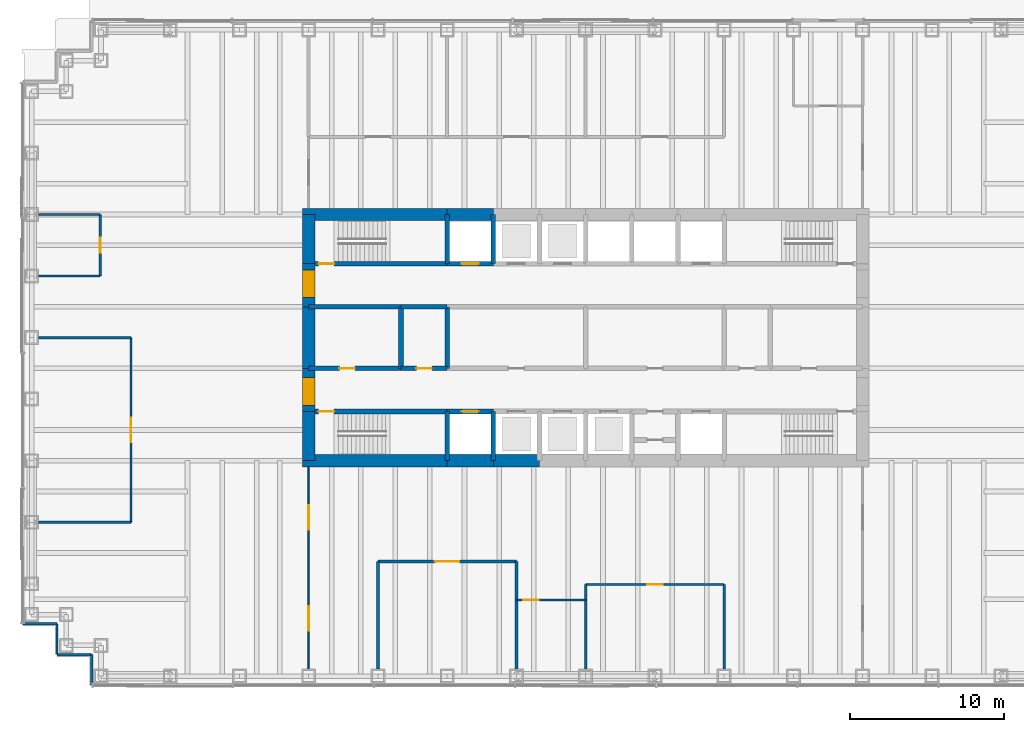
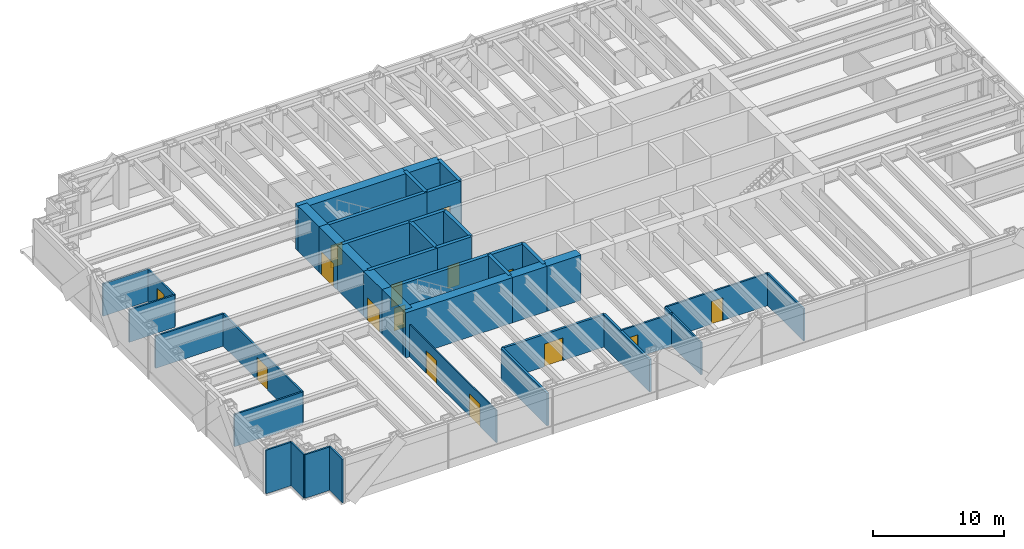
# One storey, part 9 of 14: 42 walls, 15 doors, 15 openings.
"""IFC4 building model written with IfcOpenShell, lengths in metres."""

from ifc_helpers import new_model, si_unit, direction, frame, frame_2d, origin, place, context, subcontext, project, spatial, rectangle, extrude, material, layer, layer_set, type_object, element, fill, save


model = new_model("IFC4")

# Units and contexts
model_context = context("Model", 3, precision=1e-05, world=origin(), true_north=direction((0.0, 1.0)))
body_context = subcontext(model_context, "Body", "Model", "MODEL_VIEW")
ifc_project = project(units=[si_unit("LENGTHUNIT", "METRE"), si_unit("AREAUNIT", "SQUARE_METRE"), si_unit("VOLUMEUNIT", "CUBIC_METRE"), si_unit("PLANEANGLEUNIT", "RADIAN"), si_unit("MASSUNIT", "GRAM", prefix="KILO")], contexts=[model_context])

# Site, building, storey
site_placement = place(None, origin())
site = spatial("IfcSite", under=ifc_project, at=site_placement, CompositionType="ELEMENT")
building_placement = place(site_placement, origin())
building = spatial("IfcBuilding", under=site, at=building_placement, Name="Rheinbord Bourse Tower", CompositionType="ELEMENT")
storey_placement = place(building_placement, frame((0.0, 0.0, 185.800048828125)))
storey = spatial("IfcBuildingStorey", under=building, at=storey_placement, Name="L41", CompositionType="ELEMENT", Elevation=185.800048828125)

# Wall, opening, door
ifc_material_1 = material(Name="Acoustic gypsum board partition", Category="gypsum board")
ifc_layer_1 = layer(ifc_material_1, 0.199951171875)
ifc_layer_set_1 = layer_set([ifc_layer_1], Name="ACOUSTIC PARTITION 200")
wall_type_1 = type_object("IfcWallType", Name="ACOUSTIC PARTITION 200", PredefinedType="PARTITIONING", material=ifc_layer_set_1)
wall_1_placement = place(storey_placement, frame((22.5, 9.449951171875, 0.0), z_axis=(0.0, 0.0, 1.0), x_axis=(1.0, 0.0, 0.0)))
wall_1 = element("IfcWall", 1, at=wall_1_placement, inside=storey, type_object=wall_type_1, Name="Partition L41-03", PredefinedType="PARTITIONING", context=body_context, shape_type="SweptSolid", body=[
    extrude(rectangle(XDim=9.0, YDim=0.199951171875, at=frame_2d((4.5, 0.0))), origin(), (0.0, 0.0, 1.0), 3.0),
])
opening_1_placement = place(wall_1_placement, frame((3.699951171875, 0.0, 0.0)))
opening_1 = element("IfcOpeningElement", 2, at=opening_1_placement, cuts=wall_1, Name="Opening 41D03", PredefinedType="OPENING", context=body_context, shape_type="SweptSolid", body=[
    extrude(rectangle(XDim=1.60009765625, YDim=2.10009765625, at=frame_2d((0.800048828125, 1.050048828125))), frame((0.0, 0.10986328125, 0.0), z_axis=(0.0, -1.0, 0.0), x_axis=(1.0, 0.0, 0.0)), (0.0, 0.0, 1.0), 0.219970703125),
])
ifc_material_2 = material(Name="Timber door", Category="wood")
door_type_1 = type_object("IfcDoorType", Name="DOUBLE ROOM DOOR 1600", OperationType="DOUBLE_DOOR_DOUBLE_SWING", PredefinedType="DOOR", material=ifc_material_2)
door_1_placement = place(opening_1_placement, origin())
door_1 = element("IfcDoor", 3, at=door_1_placement, inside=storey, type_object=door_type_1, Name="Conference room door L41", OperationType="SINGLE_SWING_LEFT", OverallHeight=2.10009765625, OverallWidth=1.60009765625, PredefinedType="DOOR", context=body_context, shape_type="SweptSolid", body=[
    extrude(rectangle(XDim=1.60009765625, YDim=2.10009765625, at=frame_2d((0.800048828125, 1.050048828125))), frame((0.0, 0.02490234375, 0.0), z_axis=(0.0, -1.0, 0.0), x_axis=(1.0, 0.0, 0.0)), (0.0, 0.0, 1.0), 0.050048828125),
])
fill(opening_1, door_1)

# Walls
for number, where, z_axis, x_axis, name in (
    (4, (22.5, 2.449951171875, 0.0), (0.0, 0.0, 1.0), (0.0, 1.0, 0.0), "Partition L41-19"),
    (5, (31.5, 2.449951171875, 0.0), (0.0, 0.0, 1.0), (0.0, 1.0, 0.0), "Partition L41-21"),
):
    element("IfcWall", number, at=place(storey_placement, frame(where, z_axis=z_axis, x_axis=x_axis)), inside=storey, type_object=wall_type_1, Name=name, PredefinedType="PARTITIONING", context=body_context, shape_type="SweptSolid", body=[
        extrude(rectangle(XDim=7.0, YDim=0.199951171875, at=frame_2d((3.5, 0.0))), origin(), (0.0, 0.0, 1.0), 3.0),
    ])

# Wall, opening, door
ifc_material_3 = material(Name="Concrete C50/60", Category="concrete")
ifc_layer_2 = layer(ifc_material_3, 0.300048828125)
ifc_layer_set_2 = layer_set([ifc_layer_2], Name="CORE INNER WALL 300")
wall_type_2 = type_object("IfcWallType", Name="CORE INNER WALL 300", PredefinedType="SOLIDWALL", material=ifc_layer_set_2)
wall_2_placement = place(storey_placement, frame((18.0, 19.199951171875, 0.0), z_axis=(0.0, 0.0, 1.0), x_axis=(1.0, 0.0, 0.0)))
wall_2 = element("IfcWall", 6, at=wall_2_placement, inside=storey, type_object=wall_type_2, Name="Core wall A1 L41", PredefinedType="SOLIDWALL", context=body_context, shape_type="SweptSolid", body=[
    extrude(rectangle(XDim=9.0, YDim=0.300048828125, at=frame_2d((4.5, 0.0))), origin(), (0.0, 0.0, 1.0), 4.199951171875),
])
opening_2_placement = place(wall_2_placement, frame((0.64990234375, 0.0, 0.0)))
opening_2 = element("IfcOpeningElement", 7, at=opening_2_placement, cuts=wall_2, Name="Opening 4110", PredefinedType="OPENING", context=body_context, shape_type="SweptSolid", body=[
    extrude(rectangle(XDim=1.0, YDim=2.10009765625, at=frame_2d((0.5, 1.050048828125))), frame((0.0, 0.159912109375, 0.0), z_axis=(0.0, -1.0, 0.0), x_axis=(1.0, 0.0, 0.0)), (0.0, 0.0, 1.0), 0.320068359375),
])
ifc_material_4 = material(Name="Steel door", Category="steel")
door_type_2 = type_object("IfcDoorType", Name="DOOR 1000 EI30", OperationType="SINGLE_SWING_LEFT", PredefinedType="DOOR", material=ifc_material_4)
door_2_placement = place(opening_2_placement, origin())
door_2 = element("IfcDoor", 8, at=door_2_placement, inside=storey, type_object=door_type_2, Name="Stair door ST1 L41", OperationType="SINGLE_SWING_LEFT", OverallHeight=2.10009765625, OverallWidth=1.0, PredefinedType="DOOR", context=body_context, shape_type="SweptSolid", body=[
    extrude(rectangle(XDim=1.0, YDim=2.10009765625, at=frame_2d((0.5, 1.050048828125))), frame((0.0, 0.02490234375, 0.0), z_axis=(0.0, -1.0, 0.0), x_axis=(1.0, 0.0, 0.0)), (0.0, 0.0, 1.0), 0.050048828125),
])
fill(opening_2, door_2)

wall_3_placement = place(storey_placement, frame((27.0, 19.199951171875, 0.0), z_axis=(0.0, 0.0, 1.0), x_axis=(1.0, 0.0, 0.0)))
wall_3 = element("IfcWall", 9, at=wall_3_placement, inside=storey, type_object=wall_type_2, Name="Core wall A2 L41", PredefinedType="SOLIDWALL", context=body_context, shape_type="SweptSolid", body=[
    extrude(rectangle(XDim=3.0, YDim=0.300048828125, at=frame_2d((1.5, 0.0))), origin(), (0.0, 0.0, 1.0), 4.199951171875),
])
opening_3_placement = place(wall_3_placement, frame((0.949951171875, 0.0, 0.0)))
opening_3 = element("IfcOpeningElement", 10, at=opening_3_placement, cuts=wall_3, Name="Opening FL1", PredefinedType="OPENING", context=body_context, shape_type="SweptSolid", body=[
    extrude(rectangle(XDim=1.10009765625, YDim=2.199951171875, at=frame_2d((0.550048828125, 1.10009765625))), frame((0.0, 0.159912109375, 0.0), z_axis=(0.0, -1.0, 0.0), x_axis=(1.0, 0.0, 0.0)), (0.0, 0.0, 1.0), 0.320068359375),
])
ifc_material_5 = material(Name="Steel landing door", Category="steel")
door_type_3 = type_object("IfcDoorType", Name="LIFT LANDING DOOR 1100", OperationType="DOUBLE_DOOR_SLIDING", PredefinedType="USERDEFINED", material=ifc_material_5)
door_3_placement = place(opening_3_placement, origin())
door_3 = element("IfcDoor", 11, at=door_3_placement, inside=storey, type_object=door_type_3, Name="Lift landing door FL1 L41", ObjectType="LIFT LANDING DOOR", OperationType="DOUBLE_DOOR_SLIDING", OverallHeight=2.199951171875, OverallWidth=1.10009765625, PredefinedType="USERDEFINED", context=body_context, shape_type="SweptSolid", body=[
    extrude(rectangle(XDim=1.10009765625, YDim=2.199951171875, at=frame_2d((0.550048828125, 1.10009765625))), frame((0.0, 0.02490234375, 0.0), z_axis=(0.0, -1.0, 0.0), x_axis=(1.0, 0.0, 0.0)), (0.0, 0.0, 1.0), 0.050048828125),
])
fill(opening_3, door_3)

wall_4_placement = place(storey_placement, frame((18.0, 28.800048828125, 0.0), z_axis=(0.0, 0.0, 1.0), x_axis=(1.0, 0.0, 0.0)))
wall_4 = element("IfcWall", 12, at=wall_4_placement, inside=storey, type_object=wall_type_2, Name="Core wall B1 L41", PredefinedType="SOLIDWALL", context=body_context, shape_type="SweptSolid", body=[
    extrude(rectangle(XDim=9.0, YDim=0.300048828125, at=frame_2d((4.5, 0.0))), origin(), (0.0, 0.0, 1.0), 4.199951171875),
])
opening_4_placement = place(wall_4_placement, frame((0.64990234375, 0.0, 0.0)))
opening_4 = element("IfcOpeningElement", 13, at=opening_4_placement, cuts=wall_4, Name="Opening 4120", PredefinedType="OPENING", context=body_context, shape_type="SweptSolid", body=[
    extrude(rectangle(XDim=1.0, YDim=2.10009765625, at=frame_2d((0.5, 1.050048828125))), frame((0.0, 0.159912109375, 0.0), z_axis=(0.0, -1.0, 0.0), x_axis=(1.0, 0.0, 0.0)), (0.0, 0.0, 1.0), 0.320068359375),
])
door_4_placement = place(opening_4_placement, origin())
door_4 = element("IfcDoor", 14, at=door_4_placement, inside=storey, type_object=door_type_2, Name="Stair door ST2 L41", OperationType="SINGLE_SWING_LEFT", OverallHeight=2.10009765625, OverallWidth=1.0, PredefinedType="DOOR", context=body_context, shape_type="SweptSolid", body=[
    extrude(rectangle(XDim=1.0, YDim=2.10009765625, at=frame_2d((0.5, 1.050048828125))), frame((0.0, 0.02490234375, 0.0), z_axis=(0.0, -1.0, 0.0), x_axis=(1.0, 0.0, 0.0)), (0.0, 0.0, 1.0), 0.050048828125),
])
fill(opening_4, door_4)

wall_5_placement = place(storey_placement, frame((27.0, 28.800048828125, 0.0), z_axis=(0.0, 0.0, 1.0), x_axis=(1.0, 0.0, 0.0)))
wall_5 = element("IfcWall", 15, at=wall_5_placement, inside=storey, type_object=wall_type_2, Name="Core wall B2 L41", PredefinedType="SOLIDWALL", context=body_context, shape_type="SweptSolid", body=[
    extrude(rectangle(XDim=3.0, YDim=0.300048828125, at=frame_2d((1.5, 0.0))), origin(), (0.0, 0.0, 1.0), 4.199951171875),
])
opening_5_placement = place(wall_5_placement, frame((0.949951171875, 0.0, 0.0)))
opening_5 = element("IfcOpeningElement", 16, at=opening_5_placement, cuts=wall_5, Name="Opening GL1", PredefinedType="OPENING", context=body_context, shape_type="SweptSolid", body=[
    extrude(rectangle(XDim=1.10009765625, YDim=2.199951171875, at=frame_2d((0.550048828125, 1.10009765625))), frame((0.0, 0.159912109375, 0.0), z_axis=(0.0, -1.0, 0.0), x_axis=(1.0, 0.0, 0.0)), (0.0, 0.0, 1.0), 0.320068359375),
])
door_5_placement = place(opening_5_placement, origin())
door_5 = element("IfcDoor", 17, at=door_5_placement, inside=storey, type_object=door_type_3, Name="Lift landing door GL1 L41", ObjectType="LIFT LANDING DOOR", OperationType="DOUBLE_DOOR_SLIDING", OverallHeight=2.199951171875, OverallWidth=1.10009765625, PredefinedType="USERDEFINED", context=body_context, shape_type="SweptSolid", body=[
    extrude(rectangle(XDim=1.10009765625, YDim=2.199951171875, at=frame_2d((0.550048828125, 1.10009765625))), frame((0.0, 0.02490234375, 0.0), z_axis=(0.0, -1.0, 0.0), x_axis=(1.0, 0.0, 0.0)), (0.0, 0.0, 1.0), 0.050048828125),
])
fill(opening_5, door_5)

wall_6_placement = place(storey_placement, frame((18.0, 22.0, 0.0), z_axis=(0.0, 0.0, 1.0), x_axis=(1.0, 0.0, 0.0)))
wall_6 = element("IfcWall", 18, at=wall_6_placement, inside=storey, type_object=wall_type_2, Name="Core wall C1 L41", PredefinedType="SOLIDWALL", context=body_context, shape_type="SweptSolid", body=[
    extrude(rectangle(XDim=6.0, YDim=0.300048828125, at=frame_2d((3.0, 0.0))), origin(), (0.0, 0.0, 1.0), 4.199951171875),
])
opening_6_placement = place(wall_6_placement, frame((2.0, 0.0, 0.0)))
opening_6 = element("IfcOpeningElement", 19, at=opening_6_placement, cuts=wall_6, Name="Opening 41R1", PredefinedType="OPENING", context=body_context, shape_type="SweptSolid", body=[
    extrude(rectangle(XDim=1.0, YDim=2.10009765625, at=frame_2d((0.5, 1.050048828125))), frame((0.0, 0.159912109375, 0.0), z_axis=(0.0, -1.0, 0.0), x_axis=(1.0, 0.0, 0.0)), (0.0, 0.0, 1.0), 0.320068359375),
])
ifc_material_6 = material(Name="Timber door", Category="wood")
door_type_4 = type_object("IfcDoorType", Name="DOOR 1000 WC", OperationType="SINGLE_SWING_LEFT", PredefinedType="DOOR", material=ifc_material_6)
door_6_placement = place(opening_6_placement, origin())
door_6 = element("IfcDoor", 20, at=door_6_placement, inside=storey, type_object=door_type_4, Name="WC men door L41", OperationType="SINGLE_SWING_LEFT", OverallHeight=2.10009765625, OverallWidth=1.0, PredefinedType="DOOR", context=body_context, shape_type="SweptSolid", body=[
    extrude(rectangle(XDim=1.0, YDim=2.10009765625, at=frame_2d((0.5, 1.050048828125))), frame((0.0, 0.02490234375, 0.0), z_axis=(0.0, -1.0, 0.0), x_axis=(1.0, 0.0, 0.0)), (0.0, 0.0, 1.0), 0.050048828125),
])
fill(opening_6, door_6)

wall_7_placement = place(storey_placement, frame((24.0, 22.0, 0.0), z_axis=(0.0, 0.0, 1.0), x_axis=(1.0, 0.0, 0.0)))
wall_7 = element("IfcWall", 21, at=wall_7_placement, inside=storey, type_object=wall_type_2, Name="Core wall C2 L41", PredefinedType="SOLIDWALL", context=body_context, shape_type="SweptSolid", body=[
    extrude(rectangle(XDim=3.0, YDim=0.300048828125, at=frame_2d((1.5, 0.0))), origin(), (0.0, 0.0, 1.0), 4.199951171875),
])
opening_7_placement = place(wall_7_placement, frame((1.0, 0.0, 0.0)))
opening_7 = element("IfcOpeningElement", 22, at=opening_7_placement, cuts=wall_7, Name="Opening 41R2", PredefinedType="OPENING", context=body_context, shape_type="SweptSolid", body=[
    extrude(rectangle(XDim=1.0, YDim=2.10009765625, at=frame_2d((0.5, 1.050048828125))), frame((0.0, 0.159912109375, 0.0), z_axis=(0.0, -1.0, 0.0), x_axis=(1.0, 0.0, 0.0)), (0.0, 0.0, 1.0), 0.320068359375),
])
door_7_placement = place(opening_7_placement, origin())
door_7 = element("IfcDoor", 23, at=door_7_placement, inside=storey, type_object=door_type_4, Name="Accessible WC door L41", OperationType="SINGLE_SWING_LEFT", OverallHeight=2.10009765625, OverallWidth=1.0, PredefinedType="DOOR", context=body_context, shape_type="SweptSolid", body=[
    extrude(rectangle(XDim=1.0, YDim=2.10009765625, at=frame_2d((0.5, 1.050048828125))), frame((0.0, 0.02490234375, 0.0), z_axis=(0.0, -1.0, 0.0), x_axis=(1.0, 0.0, 0.0)), (0.0, 0.0, 1.0), 0.050048828125),
])
fill(opening_7, door_7)

# Walls
wall_8_placement = place(storey_placement, frame((18.0, 26.0, 0.0), z_axis=(0.0, 0.0, 1.0), x_axis=(1.0, 0.0, 0.0)))
element("IfcWall", 24, at=wall_8_placement, inside=storey, type_object=wall_type_2, Name="Core wall D1 L41", PredefinedType="SOLIDWALL", context=body_context, shape_type="SweptSolid", body=[
    extrude(rectangle(XDim=6.0, YDim=0.300048828125, at=frame_2d((3.0, 0.0))), origin(), (0.0, 0.0, 1.0), 4.199951171875),
])
wall_9_placement = place(storey_placement, frame((24.0, 26.0, 0.0), z_axis=(0.0, 0.0, 1.0), x_axis=(1.0, 0.0, 0.0)))
element("IfcWall", 25, at=wall_9_placement, inside=storey, type_object=wall_type_2, Name="Core wall D2 L41", PredefinedType="SOLIDWALL", context=body_context, shape_type="SweptSolid", body=[
    extrude(rectangle(XDim=3.0, YDim=0.300048828125, at=frame_2d((1.5, 0.0))), origin(), (0.0, 0.0, 1.0), 4.199951171875),
])
for number, where, z_axis, x_axis, name in (
    (26, (27.0, 16.0, 0.0), (0.0, 0.0, 1.0), (0.0, 1.0, 0.0), "Core wall SX27 L41"),
    (27, (27.0, 28.800048828125, 0.0), (0.0, 0.0, 1.0), (0.0, 1.0, 0.0), "Core wall NX27 L41"),
    (28, (30.0, 16.0, 0.0), (0.0, 0.0, 1.0), (0.0, 1.0, 0.0), "Core wall SX30 L41"),
    (29, (30.0, 28.800048828125, 0.0), (0.0, 0.0, 1.0), (0.0, 1.0, 0.0), "Core wall NX30 L41"),
):
    element("IfcWall", number, at=place(storey_placement, frame(where, z_axis=z_axis, x_axis=x_axis)), inside=storey, type_object=wall_type_2, Name=name, PredefinedType="SOLIDWALL", context=body_context, shape_type="SweptSolid", body=[
        extrude(rectangle(XDim=3.199951171875, YDim=0.300048828125, at=frame_2d((1.60009765625, 0.0))), origin(), (0.0, 0.0, 1.0), 4.199951171875),
    ])
for number, where, z_axis, x_axis, name in (
    (30, (24.0, 22.0, 0.0), (0.0, 0.0, 1.0), (0.0, 1.0, 0.0), "Core wall MX24 L41"),
    (31, (27.0, 22.0, 0.0), (0.0, 0.0, 1.0), (0.0, 1.0, 0.0), "Core wall MX27 L41"),
):
    element("IfcWall", number, at=place(storey_placement, frame(where, z_axis=z_axis, x_axis=x_axis)), inside=storey, type_object=wall_type_2, Name=name, PredefinedType="SOLIDWALL", context=body_context, shape_type="SweptSolid", body=[
        extrude(rectangle(XDim=4.0, YDim=0.300048828125, at=frame_2d((2.0, 0.0))), origin(), (0.0, 0.0, 1.0), 4.199951171875),
    ])
ifc_material_7 = material(Name="Concrete C50/60", Category="concrete")
ifc_layer_3 = layer(ifc_material_7, 0.800048828125)
ifc_layer_set_3 = layer_set([ifc_layer_3], Name="CORE WALL 800")
wall_type_3 = type_object("IfcWallType", Name="CORE WALL 800", PredefinedType="SHEAR", material=ifc_layer_set_3)
wall_10_placement = place(storey_placement, frame((17.60009765625, 16.0, 0.0), z_axis=(0.0, 0.0, 1.0), x_axis=(1.0, 0.0, 0.0)))
element("IfcWall", 32, at=wall_10_placement, inside=storey, type_object=wall_type_3, Name="Core wall S1 L41", PredefinedType="SHEAR", context=body_context, shape_type="SweptSolid", body=[
    extrude(rectangle(XDim=9.39990234375, YDim=0.800048828125, at=frame_2d((4.699951171875, 0.0))), origin(), (0.0, 0.0, 1.0), 4.199951171875),
])
for number, where, z_axis, x_axis, name in (
    (33, (27.0, 16.0, 0.0), (0.0, 0.0, 1.0), (1.0, 0.0, 0.0), "Core wall S2 L41"),
    (34, (30.0, 16.0, 0.0), (0.0, 0.0, 1.0), (1.0, 0.0, 0.0), "Core wall S3 L41"),
    (35, (30.0, 32.0, 0.0), (0.0, 0.0, 1.0), (-1.0, 0.0, 0.0), "Core wall N7 L41"),
):
    element("IfcWall", number, at=place(storey_placement, frame(where, z_axis=z_axis, x_axis=x_axis)), inside=storey, type_object=wall_type_3, Name=name, PredefinedType="SHEAR", context=body_context, shape_type="SweptSolid", body=[
        extrude(rectangle(XDim=3.0, YDim=0.800048828125, at=frame_2d((1.5, 0.0))), origin(), (0.0, 0.0, 1.0), 4.199951171875),
    ])
wall_11_placement = place(storey_placement, frame((27.0, 32.0, 0.0), z_axis=(0.0, 0.0, 1.0), x_axis=(-1.0, 0.0, 0.0)))
element("IfcWall", 36, at=wall_11_placement, inside=storey, type_object=wall_type_3, Name="Core wall N8 L41", PredefinedType="SHEAR", context=body_context, shape_type="SweptSolid", body=[
    extrude(rectangle(XDim=9.39990234375, YDim=0.800048828125, at=frame_2d((4.699951171875, 0.0))), origin(), (0.0, 0.0, 1.0), 4.199951171875),
])
wall_12_placement = place(storey_placement, frame((18.0, 32.0, 0.0), z_axis=(0.0, 0.0, 1.0), x_axis=(0.0, -1.0, 0.0)))
element("IfcWall", 37, at=wall_12_placement, inside=storey, type_object=wall_type_3, Name="Core wall W1 L41", PredefinedType="SHEAR", context=body_context, shape_type="SweptSolid", body=[
    extrude(rectangle(XDim=3.199951171875, YDim=0.800048828125, at=frame_2d((1.60009765625, 0.0))), origin(), (0.0, 0.0, 1.0), 4.199951171875),
])

# Wall, opening, door
wall_13_placement = place(storey_placement, frame((18.0, 28.800048828125, 0.0), z_axis=(0.0, 0.0, 1.0), x_axis=(0.0, -1.0, 0.0)))
wall_13 = element("IfcWall", 38, at=wall_13_placement, inside=storey, type_object=wall_type_3, Name="Core wall W2 L41", PredefinedType="SHEAR", context=body_context, shape_type="SweptSolid", body=[
    extrude(rectangle(XDim=2.800048828125, YDim=0.800048828125, at=frame_2d((1.39990234375, 0.0))), origin(), (0.0, 0.0, 1.0), 4.199951171875),
])
opening_8_placement = place(wall_13_placement, frame((0.39990234375, 0.0, 0.0)))
opening_8 = element("IfcOpeningElement", 39, at=opening_8_placement, cuts=wall_13, Name="Opening 41L2", PredefinedType="OPENING", context=body_context, shape_type="SweptSolid", body=[
    extrude(rectangle(XDim=1.800048828125, YDim=2.10009765625, at=frame_2d((0.89990234375, 1.050048828125))), frame((0.0, 0.409912109375, 0.0), z_axis=(0.0, -1.0, 0.0), x_axis=(1.0, 0.0, 0.0)), (0.0, 0.0, 1.0), 0.820068359375),
])
ifc_material_8 = material(Name="Steel door", Category="steel")
door_type_5 = type_object("IfcDoorType", Name="DOOR 1800 EI30 DOUBLE", OperationType="DOUBLE_DOOR_DOUBLE_SWING", PredefinedType="DOOR", material=ifc_material_8)
door_8_placement = place(opening_8_placement, origin())
door_8 = element("IfcDoor", 40, at=door_8_placement, inside=storey, type_object=door_type_5, Name="Lobby door 2 L41", OperationType="SINGLE_SWING_LEFT", OverallHeight=2.10009765625, OverallWidth=1.800048828125, PredefinedType="DOOR", context=body_context, shape_type="SweptSolid", body=[
    extrude(rectangle(XDim=1.800048828125, YDim=2.10009765625, at=frame_2d((0.89990234375, 1.050048828125))), frame((0.0, 0.39990234375, 0.0), z_axis=(0.0, -1.0, 0.0), x_axis=(1.0, 0.0, 0.0)), (0.0, 0.0, 1.0), 0.799560546875),
])
fill(opening_8, door_8)

# Wall
wall_14_placement = place(storey_placement, frame((18.0, 26.0, 0.0), z_axis=(0.0, 0.0, 1.0), x_axis=(0.0, -1.0, 0.0)))
element("IfcWall", 41, at=wall_14_placement, inside=storey, type_object=wall_type_3, Name="Core wall W3 L41", PredefinedType="SHEAR", context=body_context, shape_type="SweptSolid", body=[
    extrude(rectangle(XDim=4.0, YDim=0.800048828125, at=frame_2d((2.0, 0.0))), origin(), (0.0, 0.0, 1.0), 4.199951171875),
])

# Wall, opening, door
wall_15_placement = place(storey_placement, frame((18.0, 22.0, 0.0), z_axis=(0.0, 0.0, 1.0), x_axis=(0.0, -1.0, 0.0)))
wall_15 = element("IfcWall", 42, at=wall_15_placement, inside=storey, type_object=wall_type_3, Name="Core wall W4 L41", PredefinedType="SHEAR", context=body_context, shape_type="SweptSolid", body=[
    extrude(rectangle(XDim=2.800048828125, YDim=0.800048828125, at=frame_2d((1.39990234375, 0.0))), origin(), (0.0, 0.0, 1.0), 4.199951171875),
])
opening_9_placement = place(wall_15_placement, frame((0.60009765625, 0.0, 0.0)))
opening_9 = element("IfcOpeningElement", 43, at=opening_9_placement, cuts=wall_15, Name="Opening 41L1", PredefinedType="OPENING", context=body_context, shape_type="SweptSolid", body=[
    extrude(rectangle(XDim=1.800048828125, YDim=2.10009765625, at=frame_2d((0.89990234375, 1.050048828125))), frame((0.0, 0.409912109375, 0.0), z_axis=(0.0, -1.0, 0.0), x_axis=(1.0, 0.0, 0.0)), (0.0, 0.0, 1.0), 0.820068359375),
])
door_9_placement = place(opening_9_placement, origin())
door_9 = element("IfcDoor", 44, at=door_9_placement, inside=storey, type_object=door_type_5, Name="Lobby door 1 L41", OperationType="SINGLE_SWING_LEFT", OverallHeight=2.10009765625, OverallWidth=1.800048828125, PredefinedType="DOOR", context=body_context, shape_type="SweptSolid", body=[
    extrude(rectangle(XDim=1.800048828125, YDim=2.10009765625, at=frame_2d((0.89990234375, 1.050048828125))), frame((0.0, 0.39990234375, 0.0), z_axis=(0.0, -1.0, 0.0), x_axis=(1.0, 0.0, 0.0)), (0.0, 0.0, 1.0), 0.799560546875),
])
fill(opening_9, door_9)

# Walls
wall_16_placement = place(storey_placement, frame((18.0, 19.199951171875, 0.0), z_axis=(0.0, 0.0, 1.0), x_axis=(0.0, -1.0, 0.0)))
element("IfcWall", 45, at=wall_16_placement, inside=storey, type_object=wall_type_3, Name="Core wall W5 L41", PredefinedType="SHEAR", context=body_context, shape_type="SweptSolid", body=[
    extrude(rectangle(XDim=3.199951171875, YDim=0.800048828125, at=frame_2d((1.60009765625, 0.0))), origin(), (0.0, 0.0, 1.0), 4.199951171875),
])
ifc_material_9 = material(Name="Black metal rainscreen panel", Category="aluminium")
ifc_layer_4 = layer(ifc_material_9, 0.14990234375)
ifc_layer_set_4 = layer_set([ifc_layer_4], Name="CORNER PIER CLADDING 150")
wall_type_4 = type_object("IfcWallType", Name="CORNER PIER CLADDING 150", PredefinedType="ELEMENTEDWALL", material=ifc_layer_set_4)
wall_17_placement = place(storey_placement, frame((-0.60009765625, 5.39990234375, 0.0), z_axis=(0.0, 0.0, 1.0), x_axis=(1.0, 0.0, 0.0)))
element("IfcWall", 46, at=wall_17_placement, inside=storey, type_object=wall_type_4, Name="Corner pier cladding L41 19", PredefinedType="ELEMENTEDWALL", context=body_context, shape_type="SweptSolid", body=[
    extrude(rectangle(XDim=2.25, YDim=0.14990234375, at=frame_2d((1.125, 0.0))), origin(), (0.0, 0.0, 1.0), 4.0400390625),
])
wall_18_placement = place(storey_placement, frame((1.64990234375, 5.39990234375, 0.0), z_axis=(0.0, 0.0, 1.0), x_axis=(0.0, -1.0, 0.0)))
element("IfcWall", 47, at=wall_18_placement, inside=storey, type_object=wall_type_4, Name="Corner pier cladding L41 20", PredefinedType="ELEMENTEDWALL", context=body_context, shape_type="SweptSolid", body=[
    extrude(rectangle(XDim=2.0, YDim=0.14990234375, at=frame_2d((1.0, 0.0))), origin(), (0.0, 0.0, 1.0), 4.0400390625),
])
wall_19_placement = place(storey_placement, frame((1.64990234375, 3.39990234375, 0.0), z_axis=(0.0, 0.0, 1.0), x_axis=(1.0, 0.0, 0.0)))
element("IfcWall", 48, at=wall_19_placement, inside=storey, type_object=wall_type_4, Name="Corner pier cladding L41 21", PredefinedType="ELEMENTEDWALL", context=body_context, shape_type="SweptSolid", body=[
    extrude(rectangle(XDim=2.25, YDim=0.14990234375, at=frame_2d((1.125, 0.0))), origin(), (0.0, 0.0, 1.0), 4.0400390625),
])
wall_20_placement = place(storey_placement, frame((3.89990234375, 3.39990234375, 0.0), z_axis=(0.0, 0.0, 1.0), x_axis=(0.0, -1.0, 0.0)))
element("IfcWall", 49, at=wall_20_placement, inside=storey, type_object=wall_type_4, Name="Corner pier cladding L41 22", PredefinedType="ELEMENTEDWALL", context=body_context, shape_type="SweptSolid", body=[
    extrude(rectangle(XDim=2.0, YDim=0.14990234375, at=frame_2d((1.0, 0.0))), origin(), (0.0, 0.0, 1.0), 4.0400390625),
])

# Wall, openings, doors
ifc_material_10 = material(Name="Toughened laminated glass partition", Category="glass")
ifc_layer_5 = layer(ifc_material_10, 0.10009765625)
ifc_layer_set_5 = layer_set([ifc_layer_5], Name="GLAZED PARTITION 100")
wall_type_5 = type_object("IfcWallType", Name="GLAZED PARTITION 100", PredefinedType="PARTITIONING", material=ifc_layer_set_5)
wall_21_placement = place(storey_placement, frame((18.0, 2.449951171875, 0.0), z_axis=(0.0, 0.0, 1.0), x_axis=(0.0, 1.0, 0.0)))
wall_21 = element("IfcWall", 50, at=wall_21_placement, inside=storey, type_object=wall_type_5, Name="Partition L41-16", PredefinedType="PARTITIONING", context=body_context, shape_type="SweptSolid", body=[
    extrude(rectangle(XDim=13.150146484375, YDim=0.10009765625, at=frame_2d((6.5751953125, 0.0))), origin(), (0.0, 0.0, 1.0), 3.0),
])
opening_10_placement = place(wall_21_placement, frame((2.488037109375, 0.0, 0.0)))
opening_10 = element("IfcOpeningElement", 51, at=opening_10_placement, cuts=wall_21, Name="Opening 41D12", PredefinedType="OPENING", context=body_context, shape_type="SweptSolid", body=[
    extrude(rectangle(XDim=1.60009765625, YDim=2.10009765625, at=frame_2d((0.800048828125, 1.050048828125))), frame((0.0, 0.06005859375, 0.0), z_axis=(0.0, -1.0, 0.0), x_axis=(1.0, 0.0, 0.0)), (0.0, 0.0, 1.0), 0.1201171875),
])
opening_11_placement = place(wall_21_placement, frame((9.06201171875, 0.0, 0.0)))
opening_11 = element("IfcOpeningElement", 52, at=opening_11_placement, cuts=wall_21, Name="Opening 41D13", PredefinedType="OPENING", context=body_context, shape_type="SweptSolid", body=[
    extrude(rectangle(XDim=1.60009765625, YDim=2.10009765625, at=frame_2d((0.800048828125, 1.050048828125))), frame((0.0, 0.06005859375, 0.0), z_axis=(0.0, -1.0, 0.0), x_axis=(1.0, 0.0, 0.0)), (0.0, 0.0, 1.0), 0.1201171875),
])
door_10_placement = place(opening_10_placement, origin())
door_10 = element("IfcDoor", 53, at=door_10_placement, inside=storey, type_object=door_type_1, Name="Open area door L41", OperationType="SINGLE_SWING_LEFT", OverallHeight=2.10009765625, OverallWidth=1.60009765625, PredefinedType="DOOR", context=body_context, shape_type="SweptSolid", body=[
    extrude(rectangle(XDim=1.60009765625, YDim=2.10009765625, at=frame_2d((0.800048828125, 1.050048828125))), frame((0.0, 0.02490234375, 0.0), z_axis=(0.0, -1.0, 0.0), x_axis=(1.0, 0.0, 0.0)), (0.0, 0.0, 1.0), 0.050048828125),
])
fill(opening_10, door_10)
door_11_placement = place(opening_11_placement, origin())
door_11 = element("IfcDoor", 54, at=door_11_placement, inside=storey, type_object=door_type_1, Name="Open area door L41", OperationType="SINGLE_SWING_LEFT", OverallHeight=2.10009765625, OverallWidth=1.60009765625, PredefinedType="DOOR", context=body_context, shape_type="SweptSolid", body=[
    extrude(rectangle(XDim=1.60009765625, YDim=2.10009765625, at=frame_2d((0.800048828125, 1.050048828125))), frame((0.0, 0.02490234375, 0.0), z_axis=(0.0, -1.0, 0.0), x_axis=(1.0, 0.0, 0.0)), (0.0, 0.0, 1.0), 0.050048828125),
])
fill(opening_11, door_11)

# Wall, opening, door
ifc_material_11 = material(Name="Gypsum board partition", Category="gypsum board")
ifc_layer_6 = layer(ifc_material_11, 0.14990234375)
ifc_layer_set_6 = layer_set([ifc_layer_6], Name="PARTITION 150")
wall_type_6 = type_object("IfcWallType", Name="PARTITION 150", PredefinedType="PARTITIONING", material=ifc_layer_set_6)
wall_22_placement = place(storey_placement, frame((31.5, 6.949951171875, 0.0), z_axis=(0.0, 0.0, 1.0), x_axis=(1.0, 0.0, 0.0)))
wall_22 = element("IfcWall", 55, at=wall_22_placement, inside=storey, type_object=wall_type_6, Name="Partition L41-01", PredefinedType="PARTITIONING", context=body_context, shape_type="SweptSolid", body=[
    extrude(rectangle(XDim=4.5, YDim=0.14990234375, at=frame_2d((2.25, 0.0))), origin(), (0.0, 0.0, 1.0), 3.0),
])
opening_12_placement = place(wall_22_placement, frame((0.449951171875, 0.0, 0.0)))
opening_12 = element("IfcOpeningElement", 56, at=opening_12_placement, cuts=wall_22, Name="Opening 41D01", PredefinedType="OPENING", context=body_context, shape_type="SweptSolid", body=[
    extrude(rectangle(XDim=1.0, YDim=2.10009765625, at=frame_2d((0.5, 1.050048828125))), frame((0.0, 0.0849609375, 0.0), z_axis=(0.0, -1.0, 0.0), x_axis=(1.0, 0.0, 0.0)), (0.0, 0.0, 1.0), 0.169921875),
])
ifc_material_12 = material(Name="Timber door", Category="wood")
door_type_6 = type_object("IfcDoorType", Name="ROOM DOOR 1000", OperationType="SINGLE_SWING_LEFT", PredefinedType="DOOR", material=ifc_material_12)
door_12_placement = place(opening_12_placement, origin())
door_12 = element("IfcDoor", 57, at=door_12_placement, inside=storey, type_object=door_type_6, Name="AV control room door L41", OperationType="SINGLE_SWING_LEFT", OverallHeight=2.10009765625, OverallWidth=1.0, PredefinedType="DOOR", context=body_context, shape_type="SweptSolid", body=[
    extrude(rectangle(XDim=1.0, YDim=2.10009765625, at=frame_2d((0.5, 1.050048828125))), frame((0.0, 0.02490234375, 0.0), z_axis=(0.0, -1.0, 0.0), x_axis=(1.0, 0.0, 0.0)), (0.0, 0.0, 1.0), 0.050048828125),
])
fill(opening_12, door_12)

wall_23_placement = place(storey_placement, frame((36.0, 7.949951171875, 0.0), z_axis=(0.0, 0.0, 1.0), x_axis=(1.0, 0.0, 0.0)))
wall_23 = element("IfcWall", 58, at=wall_23_placement, inside=storey, type_object=wall_type_6, Name="Partition L41-02", PredefinedType="PARTITIONING", context=body_context, shape_type="SweptSolid", body=[
    extrude(rectangle(XDim=9.0, YDim=0.14990234375, at=frame_2d((4.5, 0.0))), origin(), (0.0, 0.0, 1.0), 3.0),
])
opening_13_placement = place(wall_23_placement, frame((4.0, 0.0, 0.0)))
opening_13 = element("IfcOpeningElement", 59, at=opening_13_placement, cuts=wall_23, Name="Opening 41D02", PredefinedType="OPENING", context=body_context, shape_type="SweptSolid", body=[
    extrude(rectangle(XDim=1.0, YDim=2.10009765625, at=frame_2d((0.5, 1.050048828125))), frame((0.0, 0.0849609375, 0.0), z_axis=(0.0, -1.0, 0.0), x_axis=(1.0, 0.0, 0.0)), (0.0, 0.0, 1.0), 0.169921875),
])
door_13_placement = place(opening_13_placement, origin())
door_13 = element("IfcDoor", 60, at=door_13_placement, inside=storey, type_object=door_type_6, Name="Catering servery door L41", OperationType="SINGLE_SWING_LEFT", OverallHeight=2.10009765625, OverallWidth=1.0, PredefinedType="DOOR", context=body_context, shape_type="SweptSolid", body=[
    extrude(rectangle(XDim=1.0, YDim=2.10009765625, at=frame_2d((0.5, 1.050048828125))), frame((0.0, 0.02490234375, 0.0), z_axis=(0.0, -1.0, 0.0), x_axis=(1.0, 0.0, 0.0)), (0.0, 0.0, 1.0), 0.050048828125),
])
fill(opening_13, door_13)

# Walls
for number, where, z_axis, x_axis, name in (
    (61, (0.449951171875, 12.0, 0.0), (0.0, 0.0, 1.0), (1.0, 0.0, 0.0), "Partition L41-04"),
    (62, (0.449951171875, 24.0, 0.0), (0.0, 0.0, 1.0), (1.0, 0.0, 0.0), "Partition L41-07"),
):
    element("IfcWall", number, at=place(storey_placement, frame(where, z_axis=z_axis, x_axis=x_axis)), inside=storey, type_object=wall_type_6, Name=name, PredefinedType="PARTITIONING", context=body_context, shape_type="SweptSolid", body=[
        extrude(rectangle(XDim=6.0, YDim=0.14990234375, at=frame_2d((3.0, 0.0))), origin(), (0.0, 0.0, 1.0), 3.0),
    ])
for number, where, z_axis, x_axis, name in (
    (63, (0.449951171875, 28.0, 0.0), (0.0, 0.0, 1.0), (1.0, 0.0, 0.0), "Partition L41-09"),
    (64, (0.449951171875, 32.0, 0.0), (0.0, 0.0, 1.0), (1.0, 0.0, 0.0), "Partition L41-10"),
):
    element("IfcWall", number, at=place(storey_placement, frame(where, z_axis=z_axis, x_axis=x_axis)), inside=storey, type_object=wall_type_6, Name=name, PredefinedType="PARTITIONING", context=body_context, shape_type="SweptSolid", body=[
        extrude(rectangle(XDim=4.0, YDim=0.14990234375, at=frame_2d((2.0, 0.0))), origin(), (0.0, 0.0, 1.0), 3.0),
    ])

# Wall, opening, door
wall_24_placement = place(storey_placement, frame((4.449951171875, 28.0, 0.0), z_axis=(0.0, 0.0, 1.0), x_axis=(0.0, 1.0, 0.0)))
wall_24 = element("IfcWall", 65, at=wall_24_placement, inside=storey, type_object=wall_type_6, Name="Partition L41-14", PredefinedType="PARTITIONING", context=body_context, shape_type="SweptSolid", body=[
    extrude(rectangle(XDim=4.0, YDim=0.14990234375, at=frame_2d((2.0, 0.0))), origin(), (0.0, 0.0, 1.0), 3.0),
])
opening_14_placement = place(wall_24_placement, frame((1.5, 0.0, 0.0)))
opening_14 = element("IfcOpeningElement", 66, at=opening_14_placement, cuts=wall_24, Name="Opening 41D07", PredefinedType="OPENING", context=body_context, shape_type="SweptSolid", body=[
    extrude(rectangle(XDim=1.0, YDim=2.10009765625, at=frame_2d((0.5, 1.050048828125))), frame((0.0, 0.0849609375, 0.0), z_axis=(0.0, -1.0, 0.0), x_axis=(1.0, 0.0, 0.0)), (0.0, 0.0, 1.0), 0.169921875),
])
door_14_placement = place(opening_14_placement, origin())
door_14 = element("IfcDoor", 67, at=door_14_placement, inside=storey, type_object=door_type_6, Name="Cloakroom door L41", OperationType="SINGLE_SWING_LEFT", OverallHeight=2.10009765625, OverallWidth=1.0, PredefinedType="DOOR", context=body_context, shape_type="SweptSolid", body=[
    extrude(rectangle(XDim=1.0, YDim=2.10009765625, at=frame_2d((0.5, 1.050048828125))), frame((0.0, 0.02490234375, 0.0), z_axis=(0.0, -1.0, 0.0), x_axis=(1.0, 0.0, 0.0)), (0.0, 0.0, 1.0), 0.050048828125),
])
fill(opening_14, door_14)

wall_25_placement = place(storey_placement, frame((6.449951171875, 12.0, 0.0), z_axis=(0.0, 0.0, 1.0), x_axis=(0.0, 1.0, 0.0)))
wall_25 = element("IfcWall", 68, at=wall_25_placement, inside=storey, type_object=wall_type_6, Name="Partition L41-15", PredefinedType="PARTITIONING", context=body_context, shape_type="SweptSolid", body=[
    extrude(rectangle(XDim=12.0, YDim=0.14990234375, at=frame_2d((6.0, 0.0))), origin(), (0.0, 0.0, 1.0), 3.0),
])
opening_15_placement = place(wall_25_placement, frame((5.199951171875, 0.0, 0.0)))
opening_15 = element("IfcOpeningElement", 69, at=opening_15_placement, cuts=wall_25, Name="Opening 41D05", PredefinedType="OPENING", context=body_context, shape_type="SweptSolid", body=[
    extrude(rectangle(XDim=1.60009765625, YDim=2.10009765625, at=frame_2d((0.800048828125, 1.050048828125))), frame((0.0, 0.0849609375, 0.0), z_axis=(0.0, -1.0, 0.0), x_axis=(1.0, 0.0, 0.0)), (0.0, 0.0, 1.0), 0.169921875),
])
door_15_placement = place(opening_15_placement, origin())
door_15 = element("IfcDoor", 70, at=door_15_placement, inside=storey, type_object=door_type_1, Name="Business lounge door L41", OperationType="SINGLE_SWING_LEFT", OverallHeight=2.10009765625, OverallWidth=1.60009765625, PredefinedType="DOOR", context=body_context, shape_type="SweptSolid", body=[
    extrude(rectangle(XDim=1.60009765625, YDim=2.10009765625, at=frame_2d((0.800048828125, 1.050048828125))), frame((0.0, 0.02490234375, 0.0), z_axis=(0.0, -1.0, 0.0), x_axis=(1.0, 0.0, 0.0)), (0.0, 0.0, 1.0), 0.050048828125),
])
fill(opening_15, door_15)

# Walls
for number, where, z_axis, x_axis, name in (
    (71, (36.0, 2.449951171875, 0.0), (0.0, 0.0, 1.0), (0.0, 1.0, 0.0), "Partition L41-22"),
    (72, (45.0, 2.449951171875, 0.0), (0.0, 0.0, 1.0), (0.0, 1.0, 0.0), "Partition L41-24"),
):
    element("IfcWall", number, at=place(storey_placement, frame(where, z_axis=z_axis, x_axis=x_axis)), inside=storey, type_object=wall_type_6, Name=name, PredefinedType="PARTITIONING", context=body_context, shape_type="SweptSolid", body=[
        extrude(rectangle(XDim=5.5, YDim=0.14990234375, at=frame_2d((2.75, 0.0))), origin(), (0.0, 0.0, 1.0), 3.0),
    ])

save(model, "model.ifc")
